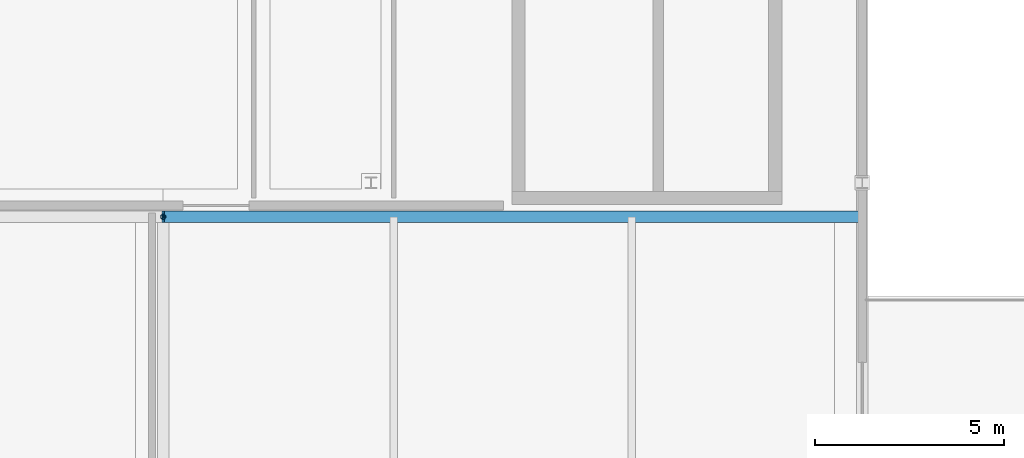
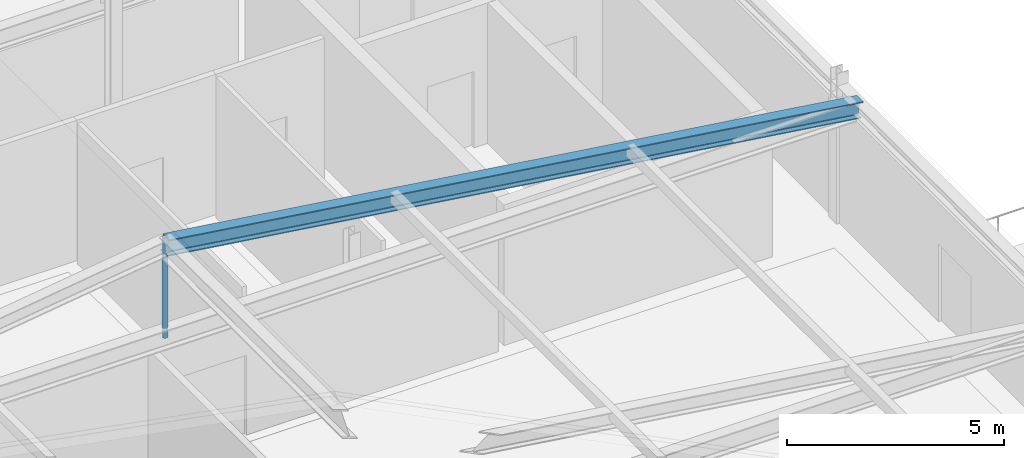
# One storey, part 16 of 63: 2 members.
"""IFC4 building model written with IfcOpenShell, lengths in metres."""

from ifc_helpers import new_model, si_unit, direction, frame, origin, origin_2d, place, context, subcontext, project, spatial, hollow_circle, i_section, extrude, material, material_profile, profile_set, type_object, element, save


model = new_model("IFC4")

# Units and contexts
model_context = context("Model", 3, precision=1e-05, world=origin(), true_north=direction((0.0, 1.0)))
body_context = subcontext(model_context, "Body", "Model", "MODEL_VIEW")
ifc_project = project(units=[si_unit("LENGTHUNIT", "METRE"), si_unit("AREAUNIT", "SQUARE_METRE"), si_unit("VOLUMEUNIT", "CUBIC_METRE"), si_unit("PLANEANGLEUNIT", "RADIAN"), si_unit("MASSUNIT", "GRAM", prefix="KILO")], contexts=[model_context])

# Site, building, storey
site_placement = place(None, origin())
site = spatial("IfcSite", under=ifc_project, at=site_placement, CompositionType="ELEMENT")
building_placement = place(site_placement, origin())
building = spatial("IfcBuilding", under=site, at=building_placement, Name="Tarnveldt Headland Concert Hall", CompositionType="ELEMENT")
storey_placement = place(building_placement, frame((0.0, 0.0, 14.39990234375)))
storey = spatial("IfcBuildingStorey", under=building, at=storey_placement, Name="L03", CompositionType="ELEMENT", Elevation=14.39990234375)

# Members
ifc_material = material(Name="Steel S355", Category="steel")
ifc_material_profile_1 = material_profile(ifc_material, i_section(OverallWidth=0.300048828125, OverallDepth=0.449951171875, WebThickness=0.013916015625, FlangeThickness=0.02587890625, FilletRadius=0.027099609375, at=origin_2d()), Name="HEB450", Category="steel")
ifc_profile_set_1 = profile_set([ifc_material_profile_1], Name="Steel S355")
member_type_1 = type_object("IfcMemberType", Name="RF-HEB450", PredefinedType="RAFTER", material=ifc_profile_set_1)
member_1_placement = place(storey_placement, frame((26.0, 81.10009765625, 6.260009765625), z_axis=(0.990416332832, 0.0, -0.138114038601), x_axis=(0.0, 1.0, 0.0)))
element("IfcMember", 1, at=member_1_placement, inside=storey, type_object=member_type_1, Name="ROOF TRUSS Rehearsal rafter S-3E", PredefinedType="RAFTER", context=body_context, shape_type="SweptSolid", body=[
    extrude(i_section(OverallWidth=0.300048828125, OverallDepth=0.449951171875, WebThickness=0.013916015625, FlangeThickness=0.02587890625, FilletRadius=0.027099609375, at=origin_2d()), origin(), (0.0, 0.0, 1.0), 18.678955078125),
])
ifc_material_profile_2 = material_profile(ifc_material, hollow_circle(Radius=0.06982421875, WallThickness=0.010009765625, at=origin_2d()), Name="CHS 139.7x10", Category="steel")
ifc_profile_set_2 = profile_set([ifc_material_profile_2], Name="Steel S355")
member_type_2 = type_object("IfcMemberType", Name="TR-WEB140", PredefinedType="BRACE", material=ifc_profile_set_2)
member_2_placement = place(storey_placement, frame((26.0, 81.10009765625, 3.68017578125), z_axis=(0.0, 0.0, 1.0), x_axis=(1.0, 0.0, 0.0)))
element("IfcMember", 2, at=member_2_placement, inside=storey, type_object=member_type_2, Name="KP-02 Roof truss kingpost strut S-3", PredefinedType="BRACE", context=body_context, shape_type="SweptSolid", body=[
    extrude(hollow_circle(Radius=0.06982421875, WallThickness=0.010009765625, at=origin_2d()), origin(), (0.0, 0.0, 1.0), 2.81982421875),
])

save(model, "model.ifc")
